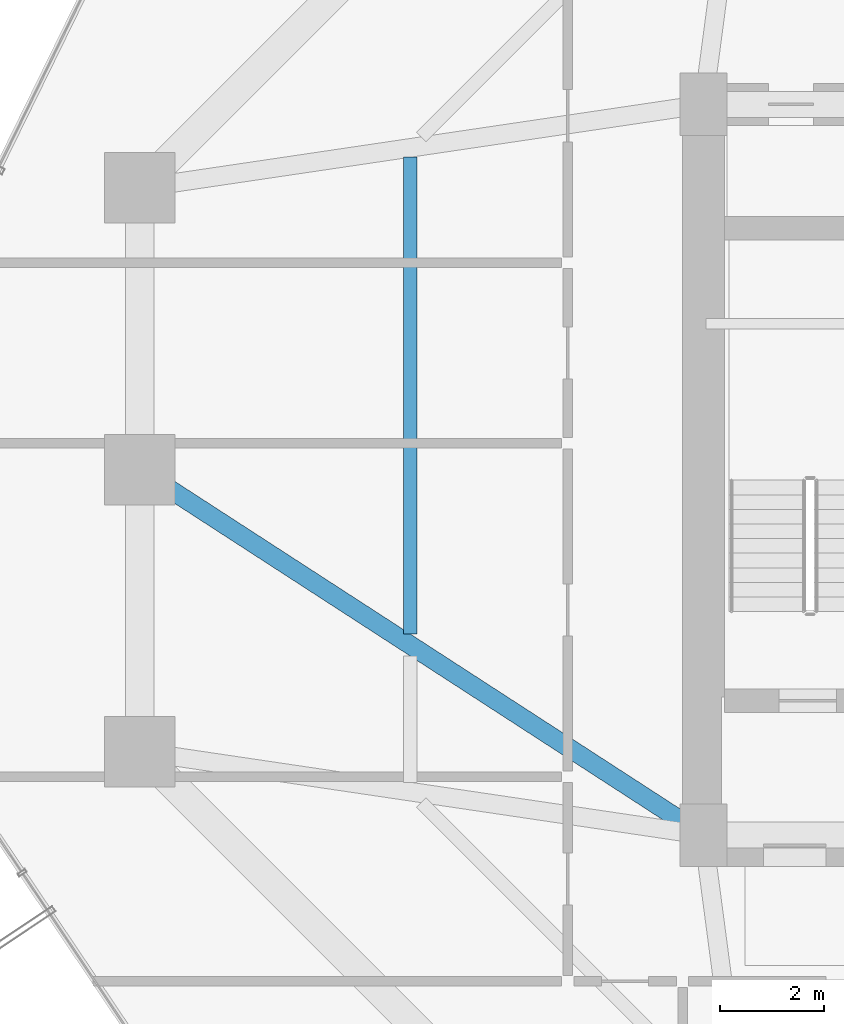
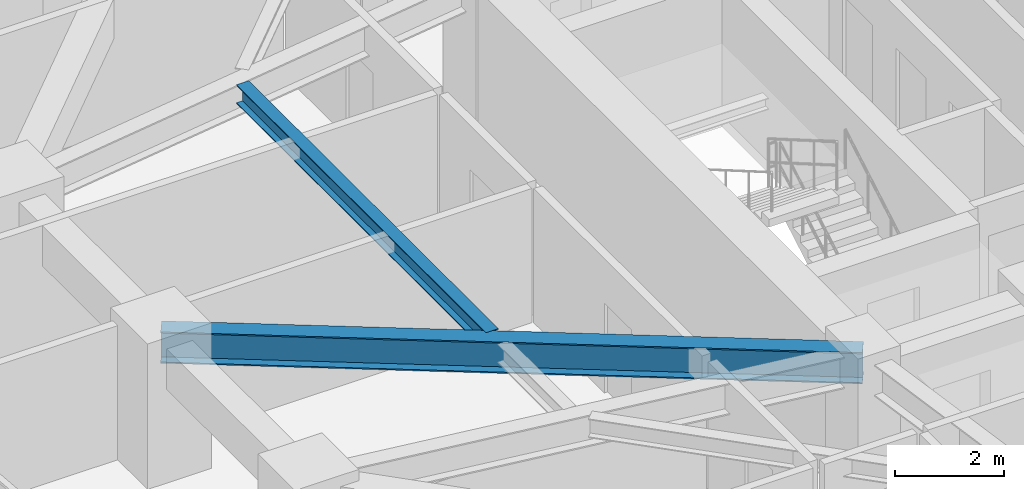
# One storey, part 11 of 37: 2 beams.
"""IFC4 building model written with IfcOpenShell, lengths in metres."""

from ifc_helpers import new_model, si_unit, direction, frame, origin, origin_2d, place, context, subcontext, project, spatial, i_section, extrude, material, material_profile, profile_set, type_object, element, save


model = new_model("IFC4")

# Units and contexts
model_context = context("Model", 3, precision=1e-05, world=origin(), true_north=direction((0.0, 1.0)))
body_context = subcontext(model_context, "Body", "Model", "MODEL_VIEW")
ifc_project = project(units=[si_unit("LENGTHUNIT", "METRE"), si_unit("AREAUNIT", "SQUARE_METRE"), si_unit("VOLUMEUNIT", "CUBIC_METRE"), si_unit("PLANEANGLEUNIT", "RADIAN"), si_unit("MASSUNIT", "GRAM", prefix="KILO")], contexts=[model_context])

# Site, building, storey
site_placement = place(None, origin())
site = spatial("IfcSite", under=ifc_project, at=site_placement, CompositionType="ELEMENT")
building_placement = place(site_placement, origin())
building = spatial("IfcBuilding", under=site, at=building_placement, Name="Veraguas Prism Commons", CompositionType="ELEMENT")
storey_placement = place(building_placement, frame((0.0, 0.0, 37.050048828125)))
storey = spatial("IfcBuildingStorey", under=building, at=storey_placement, Name="L09", CompositionType="ELEMENT", Elevation=37.050048828125)

# Beams
ifc_material = material(Name="Steel ASTM A992 Grade 50", Category="steel")
ifc_material_profile_1 = material_profile(ifc_material, i_section(OverallWidth=0.260986328125, OverallDepth=0.419921875, WebThickness=0.01171875, FlangeThickness=0.019287109375, at=origin_2d()), Name="W410X114")
ifc_profile_set_1 = profile_set([ifc_material_profile_1], Name="Steel ASTM A992 Grade 50")
beam_type_1 = type_object("IfcBeamType", Name="Lower Floor Joist W410x114", PredefinedType="JOIST", material=ifc_profile_set_1)
beam_1_placement = place(storey_placement, frame((11.583984375, 29.989990234375, 2.7900390625), z_axis=(0.0, -1.0, 0.0), x_axis=(1.0, 0.0, 0.0)))
element("IfcBeam", 1, at=beam_1_placement, inside=storey, type_object=beam_type_1, Name="Composite Floor Joist L09-JS07", PredefinedType="JOIST", context=body_context, shape_type="SweptSolid", body=[
    extrude(i_section(OverallWidth=0.260986328125, OverallDepth=0.419921875, WebThickness=0.01171875, FlangeThickness=0.019287109375, at=origin_2d()), origin(), (0.0, 0.0, 1.0), 9.140380859375),
])
ifc_material_profile_2 = material_profile(ifc_material, i_section(OverallWidth=0.35595703125, OverallDepth=0.700927734375, WebThickness=0.016845703125, FlangeThickness=0.02734375, at=origin_2d()), Name="W690X240")
ifc_profile_set_2 = profile_set([ifc_material_profile_2], Name="Steel ASTM A992 Grade 50")
beam_type_2 = type_object("IfcBeamType", Name="Zone 1 Radial Girder W690x240", PredefinedType="BEAM", material=ifc_profile_set_2)
beam_2_placement = place(storey_placement, frame((6.39990234375, 24.0, 2.6494140625), z_axis=(0.839154108875, -0.543893722668, 0.0), x_axis=(0.543893722668, 0.839154108875, 0.0)))
element("IfcBeam", 2, at=beam_2_placement, inside=storey, type_object=beam_type_2, Name="Radial Floor Girder L09-RD08", PredefinedType="BEAM", context=body_context, shape_type="SweptSolid", body=[
    extrude(i_section(OverallWidth=0.35595703125, OverallDepth=0.700927734375, WebThickness=0.016845703125, FlangeThickness=0.02734375, at=origin_2d()), origin(), (0.0, 0.0, 1.0), 12.8701171875),
])

save(model, "model.ifc")
